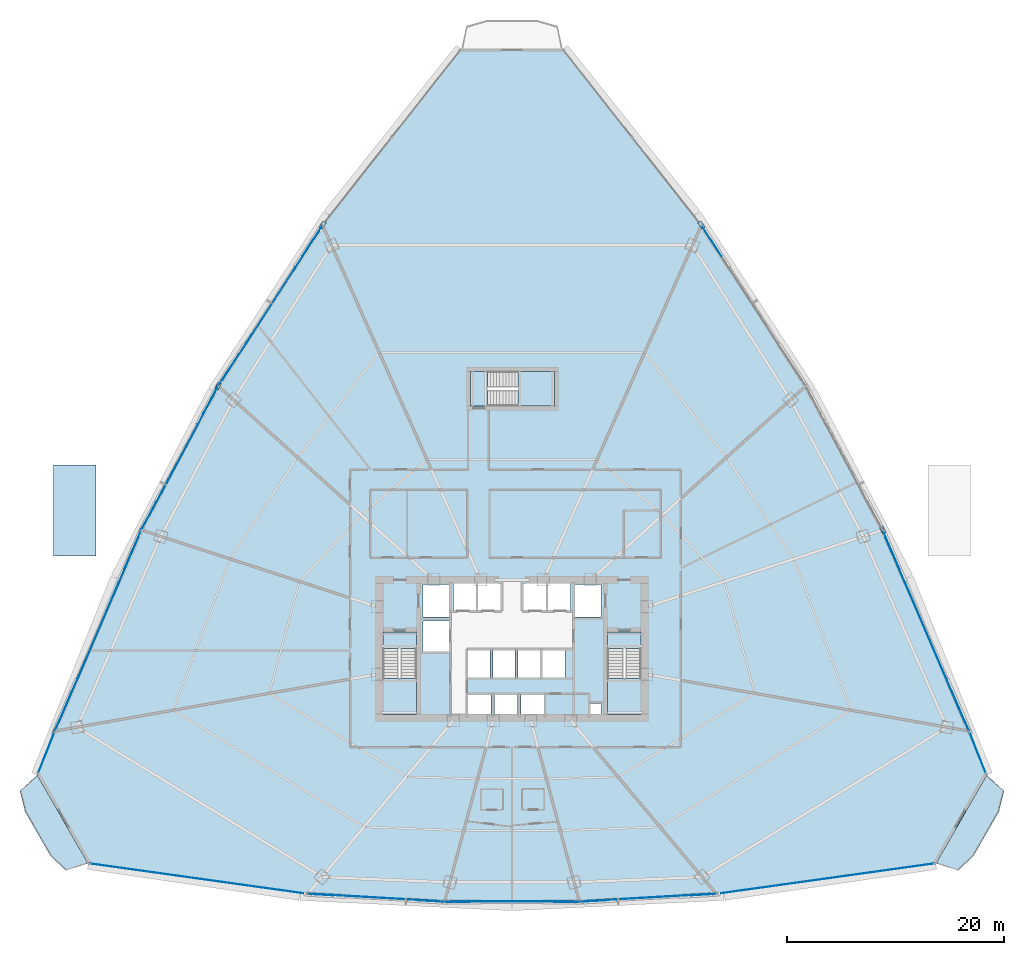
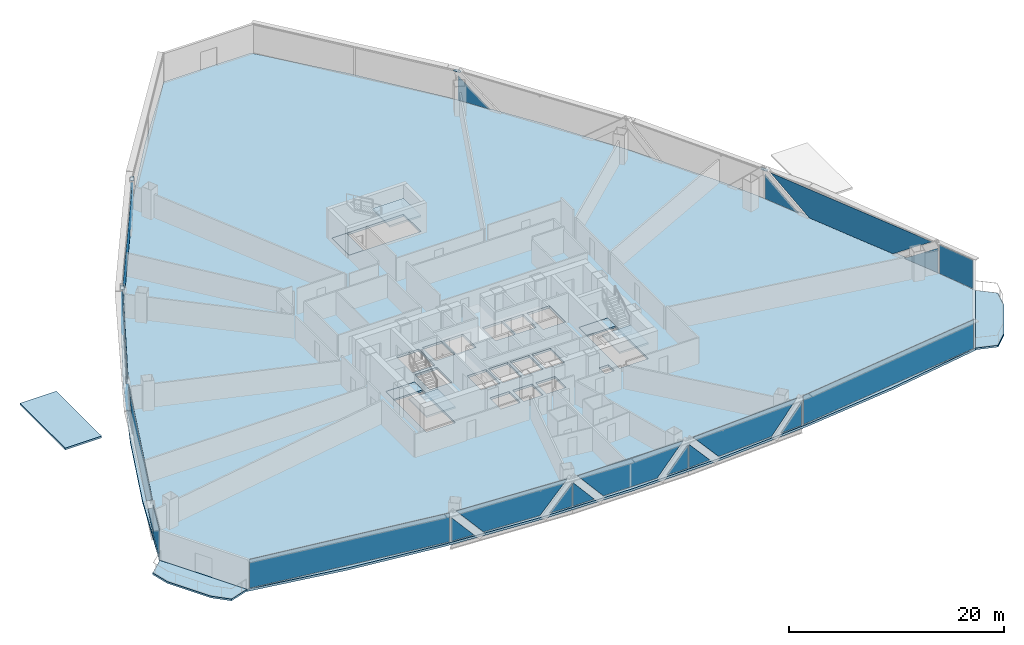
# One storey, part 28 of 38: 30 plates, 10 slabs, 15 elements without a shape of their own.
"""IFC4 building model written with IfcOpenShell, lengths in metres."""

from ifc_helpers import new_model, si_unit, direction, frame, origin, origin_2d, place, context, subcontext, project, spatial, polyline, rectangle, outline, extrude, source, transform, mapped, material, layer, layer_set, type_object, element, aggregate, save


model = new_model("IFC4")

# Units and contexts
model_context = context("Model", 3, precision=1e-05, world=origin(), true_north=direction((0.0, 1.0)))
body_context = subcontext(model_context, "Body", "Model", "MODEL_VIEW")
ifc_project = project(units=[si_unit("LENGTHUNIT", "METRE"), si_unit("AREAUNIT", "SQUARE_METRE"), si_unit("VOLUMEUNIT", "CUBIC_METRE"), si_unit("PLANEANGLEUNIT", "RADIAN"), si_unit("MASSUNIT", "GRAM", prefix="KILO"), si_unit("THERMODYNAMICTEMPERATUREUNIT", "KELVIN"), si_unit("POWERUNIT", "WATT")], contexts=[model_context])

# Site, building, storey
site_placement = place(None, origin())
site = spatial("IfcSite", under=ifc_project, at=site_placement, CompositionType="ELEMENT")
building_placement = place(site_placement, origin())
building = spatial("IfcBuilding", under=site, at=building_placement, Name="Yunzhuo Pagoda Commons", CompositionType="ELEMENT")
storey_placement = place(building_placement, frame((0.0, 0.0, 30.39990234375)))
storey = spatial("IfcBuildingStorey", under=building, at=storey_placement, Name="L07", CompositionType="ELEMENT", Elevation=30.39990234375)

# Curtain wall, plates
ifc_material_1 = material(Name="Anodized aluminium 6063-T6", Category="aluminium")
ifc_layer_1 = layer(ifc_material_1, 0.1650390625)
ifc_layer_set_1 = layer_set([ifc_layer_1], Name="Anodized aluminium 6063-T6")
curtain_wall_type = type_object("IfcCurtainWallType", Name="CW-LOW Low-Zone Ribbon Curtain Wall", PredefinedType="NOTDEFINED", material=ifc_layer_set_1)
curtain_wall_1_placement = place(storey_placement, origin())
curtain_wall_1 = element("IfcCurtainWall", 1, at=curtain_wall_1_placement, inside=storey, type_object=curtain_wall_type, Name="L07 curtain wall CW-L07-F1B2", PredefinedType="NOTDEFINED")
ifc_material_2 = material(Name="Tempered low-e double glazing", Category="glass")
ifc_layer_2 = layer(ifc_material_2, 0.028076171875)
ifc_layer_set_2 = layer_set([ifc_layer_2], Name="Tempered low-e double glazing")
plate_type_1 = type_object("IfcPlateType", Name="CW-LOW-P Low-E Double Glazing 28", PredefinedType="CURTAIN_PANEL", material=ifc_layer_set_2)
plate_1_placement = place(storey_placement, frame((30.406005859375, 11.22265625, 1.38818359375), z_axis=(-0.05789866519, -0.998322465223, 0.0), x_axis=(0.998322465223, -0.05789866519, 0.0)))
plate_1 = element("IfcPlate", 2, at=plate_1_placement, type_object=plate_type_1, Name="CW panel 1.1 lite 1", PredefinedType="CURTAIN_PANEL", context=body_context, shape_type="SweptSolid", body=[
    extrude(outline(polyline([(-1.1552734375, -1.328125), (1.1552734375, -1.328125), (-1.1552734375, 1.328125), (-1.1552734375, -1.328125)])), origin(), (0.0, 0.0, 1.0), 0.028076171875),
])
plate_2_placement = place(storey_placement, frame((35.494140625, 10.957763671875, 1.68505859375), z_axis=(-0.05789866519, -0.998322465223, 0.0), x_axis=(0.998322465223, -0.05789866519, 0.0)))
plate_2 = element("IfcPlate", 3, at=plate_2_placement, type_object=plate_type_1, Name="CW panel 1.1 lite 2", PredefinedType="CURTAIN_PANEL", context=body_context, shape_type="SweptSolid", body=[
    extrude(outline(polyline([(-5.759521484375, 1.625), (-2.932373046875, -1.625), (2.932373046875, -1.625), (5.759521484375, 1.625), (-5.759521484375, 1.625)])), origin(), (0.0, 0.0, 1.0), 0.028076171875),
])
plate_3_placement = place(storey_placement, frame((40.578857421875, 10.6328125, 1.38818359375), z_axis=(-0.05789866519, -0.998322465223, 0.0), x_axis=(0.998322465223, -0.05789866519, 0.0)))
plate_3 = element("IfcPlate", 4, at=plate_3_placement, type_object=plate_type_1, Name="CW panel 1.1 lite 3", PredefinedType="CURTAIN_PANEL", context=body_context, shape_type="SweptSolid", body=[
    extrude(outline(polyline([(-1.1552734375, -1.328125), (1.1552734375, -1.328125), (1.1552734375, 1.328125), (-1.1552734375, -1.328125)])), origin(), (0.0, 0.0, 1.0), 0.028076171875),
])
aggregate(curtain_wall_1, [plate_1, plate_2, plate_3])

curtain_wall_2_placement = place(storey_placement, origin())
curtain_wall_2 = element("IfcCurtainWall", 5, at=curtain_wall_2_placement, inside=storey, type_object=curtain_wall_type, Name="L07 curtain wall CW-L07-F1B3", PredefinedType="NOTDEFINED")
plate_4_placement = place(storey_placement, frame((42.993408203125, 10.56201171875, 1.384521484375), z_axis=(0.0, -1.0, 0.0), x_axis=(1.0, 0.0, 0.0)))
plate_4 = element("IfcPlate", 6, at=plate_4_placement, type_object=plate_type_1, Name="CW panel 1.1 lite 1", PredefinedType="CURTAIN_PANEL", context=body_context, shape_type="SweptSolid", body=[
    extrude(outline(polyline([(-1.131591796875, -1.324462890625), (1.1318359375, -1.324462890625), (-1.131591796875, 1.324462890625), (-1.131591796875, -1.324462890625)])), origin(), (0.0, 0.0, 1.0), 0.028076171875),
])
plate_5_placement = place(storey_placement, frame((48.0, 10.59228515625, 1.68505859375), z_axis=(0.0, -1.0, 0.0), x_axis=(1.0, 0.0, 0.0)))
plate_5 = element("IfcPlate", 7, at=plate_5_placement, type_object=plate_type_1, Name="CW panel 1.1 lite 2", PredefinedType="CURTAIN_PANEL", context=body_context, shape_type="SweptSolid", body=[
    extrude(outline(polyline([(-5.65234375, 1.625), (-2.875244140625, -1.625), (2.875244140625, -1.625), (5.65234375, 1.625), (-5.65234375, 1.625)])), origin(), (0.0, 0.0, 1.0), 0.028076171875),
])
plate_6_placement = place(storey_placement, frame((53.006591796875, 10.56201171875, 1.384521484375), z_axis=(0.0, -1.0, 0.0), x_axis=(1.0, 0.0, 0.0)))
plate_6 = element("IfcPlate", 8, at=plate_6_placement, type_object=plate_type_1, Name="CW panel 1.1 lite 3", PredefinedType="CURTAIN_PANEL", context=body_context, shape_type="SweptSolid", body=[
    extrude(outline(polyline([(-1.1318359375, -1.324462890625), (1.131591796875, -1.324462890625), (1.131591796875, 1.324462890625), (-1.1318359375, -1.324462890625)])), origin(), (0.0, 0.0, 1.0), 0.028076171875),
])
aggregate(curtain_wall_2, [plate_4, plate_5, plate_6])

curtain_wall_3_placement = place(storey_placement, origin())
curtain_wall_3 = element("IfcCurtainWall", 9, at=curtain_wall_3_placement, inside=storey, type_object=curtain_wall_type, Name="L07 curtain wall CW-L07-F1B4", PredefinedType="NOTDEFINED")
plate_7_placement = place(storey_placement, frame((55.421142578125, 10.6328125, 1.38818359375), z_axis=(0.05789866519, -0.998322465223, 0.0), x_axis=(0.998322465223, 0.05789866519, 0.0)))
plate_7 = element("IfcPlate", 10, at=plate_7_placement, type_object=plate_type_1, Name="CW panel 1.1 lite 1", PredefinedType="CURTAIN_PANEL", context=body_context, shape_type="SweptSolid", body=[
    extrude(outline(polyline([(-1.1552734375, -1.328125), (1.1552734375, -1.328125), (-1.1552734375, 1.328125), (-1.1552734375, -1.328125)])), origin(), (0.0, 0.0, 1.0), 0.028076171875),
])
plate_8_placement = place(storey_placement, frame((60.505859375, 10.957763671875, 1.68505859375), z_axis=(0.05789866519, -0.998322465223, 0.0), x_axis=(0.998322465223, 0.05789866519, 0.0)))
plate_8 = element("IfcPlate", 11, at=plate_8_placement, type_object=plate_type_1, Name="CW panel 1.1 lite 2", PredefinedType="CURTAIN_PANEL", context=body_context, shape_type="SweptSolid", body=[
    extrude(outline(polyline([(-5.759521484375, 1.625), (-2.932373046875, -1.625), (2.932373046875, -1.625), (5.759521484375, 1.625), (-5.759521484375, 1.625)])), origin(), (0.0, 0.0, 1.0), 0.028076171875),
])
plate_9_placement = place(storey_placement, frame((65.593994140625, 11.22265625, 1.38818359375), z_axis=(0.05789866519, -0.998322465223, 0.0), x_axis=(0.998322465223, 0.05789866519, 0.0)))
plate_9 = element("IfcPlate", 12, at=plate_9_placement, type_object=plate_type_1, Name="CW panel 1.1 lite 3", PredefinedType="CURTAIN_PANEL", context=body_context, shape_type="SweptSolid", body=[
    extrude(outline(polyline([(-1.1552734375, -1.328125), (1.1552734375, -1.328125), (1.1552734375, 1.328125), (-1.1552734375, -1.328125)])), origin(), (0.0, 0.0, 1.0), 0.028076171875),
])
aggregate(curtain_wall_3, [plate_7, plate_8, plate_9])

curtain_wall_4_placement = place(storey_placement, origin())
curtain_wall_4 = element("IfcCurtainWall", 13, at=curtain_wall_4_placement, inside=storey, type_object=curtain_wall_type, Name="L07 curtain wall CW-L07-F2B2", PredefinedType="NOTDEFINED")
plate_10_placement = place(storey_placement, frame((89.2939453125, 28.113037109375, 1.45751953125), z_axis=(0.918745212535, 0.394850901535, 0.0), x_axis=(-0.394850901535, 0.918745212535, 0.0)))
plate_10 = element("IfcPlate", 14, at=plate_10_placement, type_object=plate_type_1, Name="CW panel 1.1 lite 1", PredefinedType="CURTAIN_PANEL", context=body_context, shape_type="SweptSolid", body=[
    extrude(outline(polyline([(-1.939453125, -1.3974609375), (1.939697265625, -1.3974609375), (-1.939453125, 1.3974609375), (-1.939453125, -1.3974609375)])), origin(), (0.0, 0.0, 1.0), 0.028076171875),
])
plate_11_placement = place(storey_placement, frame((86.0791015625, 35.517578125, 1.68505859375), z_axis=(0.918745212535, 0.394850901535, 0.0), x_axis=(-0.394850901535, 0.918745212535, 0.0)))
plate_11 = element("IfcPlate", 15, at=plate_11_placement, type_object=plate_type_1, Name="CW panel 1.1 lite 2", PredefinedType="CURTAIN_PANEL", context=body_context, shape_type="SweptSolid", body=[
    extrude(outline(polyline([(-9.343505859375, 1.625), (-4.83251953125, -1.625), (4.83251953125, -1.625), (9.343505859375, 1.625), (-9.343505859375, 1.625)])), origin(), (0.0, 0.0, 1.0), 0.028076171875),
])
plate_12_placement = place(storey_placement, frame((82.919189453125, 42.94580078125, 1.45751953125), z_axis=(0.918745212535, 0.394850901535, 0.0), x_axis=(-0.394850901535, 0.918745212535, 0.0)))
plate_12 = element("IfcPlate", 16, at=plate_12_placement, type_object=plate_type_1, Name="CW panel 1.1 lite 3", PredefinedType="CURTAIN_PANEL", context=body_context, shape_type="SweptSolid", body=[
    extrude(outline(polyline([(-1.939697265625, -1.3974609375), (1.939453125, -1.3974609375), (1.939453125, 1.3974609375), (-1.939697265625, -1.3974609375)])), origin(), (0.0, 0.0, 1.0), 0.028076171875),
])
aggregate(curtain_wall_4, [plate_10, plate_11, plate_12])

# Curtain wall, plate
curtain_wall_5_placement = place(storey_placement, origin())
curtain_wall_5 = element("IfcCurtainWall", 17, at=curtain_wall_5_placement, inside=storey, type_object=curtain_wall_type, Name="L07 curtain wall CW-L07-F2B4", PredefinedType="NOTDEFINED")
plate_13_placement = place(storey_placement, frame((66.378662109375, 71.397705078125, 1.4423828125), z_axis=(0.83865240069, 0.544667009114, 0.0), x_axis=(-0.544667009114, 0.83865240069, 0.0)))
plate_13 = element("IfcPlate", 18, at=plate_13_placement, type_object=plate_type_1, Name="CW panel 1.1 lite 3", PredefinedType="CURTAIN_PANEL", context=body_context, shape_type="SweptSolid", body=[
    extrude(outline(polyline([(-1.680908203125, -1.38232421875), (1.680908203125, -1.38232421875), (1.680908203125, 1.38232421875), (-1.680908203125, -1.38232421875)])), origin(), (0.0, 0.0, 1.0), 0.028076171875),
])
aggregate(curtain_wall_5, [plate_13])

# Curtain wall, plates
curtain_wall_6_placement = place(storey_placement, origin())
curtain_wall_6 = element("IfcCurtainWall", 19, at=curtain_wall_6_placement, inside=storey, type_object=curtain_wall_type, Name="L07 curtain wall CW-L07-F3B2", PredefinedType="NOTDEFINED")
plate_14_placement = place(storey_placement, frame((29.621337890625, 71.397705078125, 1.4423828125), z_axis=(-0.83865240069, 0.544667009114, 0.0), x_axis=(-0.544667009114, -0.83865240069, 0.0)))
plate_14 = element("IfcPlate", 20, at=plate_14_placement, type_object=plate_type_1, Name="CW panel 1.1 lite 1", PredefinedType="CURTAIN_PANEL", context=body_context, shape_type="SweptSolid", body=[
    extrude(outline(polyline([(-1.680908203125, -1.38232421875), (1.680908203125, -1.38232421875), (-1.680908203125, 1.38232421875), (-1.680908203125, -1.38232421875)])), origin(), (0.0, 0.0, 1.0), 0.028076171875),
])
plate_15_placement = place(storey_placement, frame((25.7890625, 65.441650390625, 1.68505859375), z_axis=(-0.83865240069, 0.544667009114, 0.0), x_axis=(-0.544667009114, -0.83865240069, 0.0)))
plate_15 = element("IfcPlate", 21, at=plate_15_placement, type_object=plate_type_1, Name="CW panel 1.1 lite 2", PredefinedType="CURTAIN_PANEL", context=body_context, shape_type="SweptSolid", body=[
    extrude(outline(polyline([(-8.156982421875, 1.625), (-4.205078125, -1.625), (4.205078125, -1.625), (8.156982421875, 1.625), (-8.156982421875, 1.625)])), origin(), (0.0, 0.0, 1.0), 0.028076171875),
])
plate_16_placement = place(storey_placement, frame((21.90625, 59.518310546875, 1.4423828125), z_axis=(-0.83865240069, 0.544667009114, 0.0), x_axis=(-0.544667009114, -0.83865240069, 0.0)))
plate_16 = element("IfcPlate", 22, at=plate_16_placement, type_object=plate_type_1, Name="CW panel 1.1 lite 3", PredefinedType="CURTAIN_PANEL", context=body_context, shape_type="SweptSolid", body=[
    extrude(outline(polyline([(-1.680908203125, -1.38232421875), (1.680908203125, -1.38232421875), (1.680908203125, 1.38232421875), (-1.680908203125, -1.38232421875)])), origin(), (0.0, 0.0, 1.0), 0.028076171875),
])
aggregate(curtain_wall_6, [plate_14, plate_15, plate_16])

curtain_wall_7_placement = place(storey_placement, origin())
curtain_wall_7 = element("IfcCurtainWall", 23, at=curtain_wall_7_placement, inside=storey, type_object=curtain_wall_type, Name="L07 curtain wall CW-L07-F3B3", PredefinedType="NOTDEFINED")
plate_17_placement = place(storey_placement, frame((20.26220703125, 56.75537109375, 1.419677734375), z_axis=(-0.882141395132, 0.470984669595, 0.0), x_axis=(-0.470984669595, -0.882141395132, 0.0)))
plate_17 = element("IfcPlate", 24, at=plate_17_placement, type_object=plate_type_1, Name="CW panel 1.1 lite 1", PredefinedType="CURTAIN_PANEL", context=body_context, shape_type="SweptSolid", body=[
    extrude(outline(polyline([(-1.408447265625, -1.359619140625), (1.408203125, -1.359619140625), (-1.408447265625, 1.359619140625), (-1.408447265625, -1.359619140625)])), origin(), (0.0, 0.0, 1.0), 0.028076171875),
])
plate_18_placement = place(storey_placement, frame((17.4404296875, 51.406494140625, 1.68505859375), z_axis=(-0.882141395132, 0.470984669595, 0.0), x_axis=(-0.470984669595, -0.882141395132, 0.0)))
plate_18 = element("IfcPlate", 25, at=plate_18_placement, type_object=plate_type_1, Name="CW panel 1.1 lite 2", PredefinedType="CURTAIN_PANEL", context=body_context, shape_type="SweptSolid", body=[
    extrude(outline(polyline([(-6.911376953125, 1.625), (-3.544677734375, -1.625), (3.544677734375, -1.625), (6.911376953125, 1.625), (-6.911376953125, 1.625)])), origin(), (0.0, 0.0, 1.0), 0.028076171875),
])
plate_19_placement = place(storey_placement, frame((14.565673828125, 46.086181640625, 1.419677734375), z_axis=(-0.882141395132, 0.470984669595, 0.0), x_axis=(-0.470984669595, -0.882141395132, 0.0)))
plate_19 = element("IfcPlate", 26, at=plate_19_placement, type_object=plate_type_1, Name="CW panel 1.1 lite 3", PredefinedType="CURTAIN_PANEL", context=body_context, shape_type="SweptSolid", body=[
    extrude(outline(polyline([(-1.408203125, -1.359619140625), (1.408447265625, -1.359619140625), (1.408447265625, 1.359619140625), (-1.408203125, -1.359619140625)])), origin(), (0.0, 0.0, 1.0), 0.028076171875),
])
aggregate(curtain_wall_7, [plate_17, plate_18, plate_19])

curtain_wall_8_placement = place(storey_placement, origin())
curtain_wall_8 = element("IfcCurtainWall", 27, at=curtain_wall_8_placement, inside=storey, type_object=curtain_wall_type, Name="L07 curtain wall CW-L07-F3B4", PredefinedType="NOTDEFINED")
plate_20_placement = place(storey_placement, frame((13.080810546875, 42.94580078125, 1.45751953125), z_axis=(-0.918745212535, 0.394850901535, 0.0), x_axis=(-0.394850901535, -0.918745212535, 0.0)))
plate_20 = element("IfcPlate", 28, at=plate_20_placement, type_object=plate_type_1, Name="CW panel 1.1 lite 1", PredefinedType="CURTAIN_PANEL", context=body_context, shape_type="SweptSolid", body=[
    extrude(outline(polyline([(-1.939453125, -1.3974609375), (1.939697265625, -1.3974609375), (-1.939453125, 1.3974609375), (-1.939453125, -1.3974609375)])), origin(), (0.0, 0.0, 1.0), 0.028076171875),
])
plate_21_placement = place(storey_placement, frame((9.9208984375, 35.517578125, 1.68505859375), z_axis=(-0.918745212535, 0.394850901535, 0.0), x_axis=(-0.394850901535, -0.918745212535, 0.0)))
plate_21 = element("IfcPlate", 29, at=plate_21_placement, type_object=plate_type_1, Name="CW panel 1.1 lite 2", PredefinedType="CURTAIN_PANEL", context=body_context, shape_type="SweptSolid", body=[
    extrude(outline(polyline([(-9.343505859375, 1.625), (-4.83251953125, -1.625), (4.83251953125, -1.625), (9.343505859375, 1.625), (-9.343505859375, 1.625)])), origin(), (0.0, 0.0, 1.0), 0.028076171875),
])
plate_22_placement = place(storey_placement, frame((6.7060546875, 28.113037109375, 1.45751953125), z_axis=(-0.918745212535, 0.394850901535, 0.0), x_axis=(-0.394850901535, -0.918745212535, 0.0)))
plate_22 = element("IfcPlate", 30, at=plate_22_placement, type_object=plate_type_1, Name="CW panel 1.1 lite 3", PredefinedType="CURTAIN_PANEL", context=body_context, shape_type="SweptSolid", body=[
    extrude(outline(polyline([(-1.939697265625, -1.3974609375), (1.939453125, -1.3974609375), (1.939453125, 1.3974609375), (-1.939697265625, -1.3974609375)])), origin(), (0.0, 0.0, 1.0), 0.028076171875),
])
aggregate(curtain_wall_8, [plate_20, plate_21, plate_22])

# Slabs
ifc_material_3 = material(Name="Concrete C40", Category="concrete")
ifc_layer_3 = layer(ifc_material_3, 0.199951171875)
ifc_layer_set_3 = layer_set([ifc_layer_3], Name="Concrete C40")
slab_type_1 = type_object("IfcSlabType", Name="SL-BAL Vertex Balcony Deck Slab 200", PredefinedType="FLOOR", material=ifc_layer_set_3)
slab_1_placement = place(storey_placement, frame((0.0, 0.0, -0.199951171875)))
element("IfcSlab", 31, at=slab_1_placement, inside=storey, type_object=slab_type_1, Name="L07 corner balcony V1", PredefinedType="FLOOR", context=body_context, shape_type="SweptSolid", body=[
    extrude(outline(polyline([(4.287109375, 22.2197265625), (8.95068359375, 14.097412109375), (6.90966796875, 13.444580078125), (5.490966796875, 14.81103515625), (3.1591796875, 18.872314453125), (2.694091796875, 20.786376953125), (4.287109375, 22.2197265625)])), origin(), (0.0, 0.0, 1.0), 0.199951171875),
])
slab_2_placement = place(storey_placement, frame((0.0, 0.0, -0.199951171875)))
element("IfcSlab", 32, at=slab_2_placement, inside=storey, type_object=slab_type_1, Name="L07 corner balcony V2", PredefinedType="FLOOR", context=body_context, shape_type="SweptSolid", body=[
    extrude(outline(polyline([(87.04931640625, 14.097412109375), (91.712890625, 22.2197265625), (93.305908203125, 20.786376953125), (92.8408203125, 18.872314453125), (90.509033203125, 14.81103515625), (89.09033203125, 13.444580078125), (87.04931640625, 14.097412109375)])), origin(), (0.0, 0.0, 1.0), 0.199951171875),
])

# Stair, slabs
stair_type_1 = type_object("IfcStairType", Name="ST-C1 Core Smokeproof Stair ST1", PredefinedType="HALF_TURN_STAIR", material=ifc_material_3)
stair_1_placement = place(storey_placement, origin())
stair_1 = element("IfcStair", 33, at=stair_1_placement, inside=storey, type_object=stair_type_1, Name="L07 Core smokeproof stair ST1", PredefinedType="HALF_TURN_STAIR")
ifc_layer_4 = layer(ifc_material_3, 0.199951171875)
ifc_layer_set_4 = layer_set([ifc_layer_4], Name="Concrete C40")
slab_type_2 = type_object("IfcSlabType", Name="SL-LND1 Stair Landing Slab 200", PredefinedType="LANDING", material=ifc_layer_set_4)
slab_3_placement = place(storey_placement, frame((0.0, 0.0, 1.614990234375)))
slab_3 = element("IfcSlab", 34, at=slab_3_placement, type_object=slab_type_2, Name="ST1 landing 1", PredefinedType="LANDING", context=body_context, shape_type="SweptSolid", body=[
    extrude(outline(polyline([(36.10009765625, 31.10009765625), (36.10009765625, 27.800048828125), (39.199951171875, 27.800048828125), (39.199951171875, 31.10009765625), (36.10009765625, 31.10009765625)])), origin(), (0.0, 0.0, 1.0), 0.2001953125),
])
slab_4_placement = place(storey_placement, frame((0.0, 0.0, -0.199951171875)))
slab_4 = element("IfcSlab", 35, at=slab_4_placement, type_object=slab_type_2, Name="ST1 floor landing L07", PredefinedType="LANDING", context=body_context, shape_type="SweptSolid", body=[
    extrude(outline(polyline([(36.10009765625, 35.39990234375), (36.10009765625, 33.89990234375), (39.199951171875, 33.89990234375), (39.199951171875, 35.39990234375), (36.10009765625, 35.39990234375)])), origin(), (0.0, 0.0, 1.0), 0.199951171875),
])
aggregate(stair_1, [slab_3, slab_4])

stair_type_2 = type_object("IfcStairType", Name="ST-C2 Core Smokeproof Stair ST2", PredefinedType="HALF_TURN_STAIR", material=ifc_material_3)
stair_2_placement = place(storey_placement, origin())
stair_2 = element("IfcStair", 36, at=stair_2_placement, inside=storey, type_object=stair_type_2, Name="L07 Core smokeproof stair ST2", PredefinedType="HALF_TURN_STAIR")
ifc_layer_5 = layer(ifc_material_3, 0.201904296875)
ifc_layer_set_5 = layer_set([ifc_layer_5], Name="Concrete C40")
slab_type_3 = type_object("IfcSlabType", Name="SL-LND2 Stair Landing Slab 202", PredefinedType="LANDING", material=ifc_layer_set_5)
slab_5_placement = place(storey_placement, frame((0.0, 0.0, 1.614990234375)))
slab_5 = element("IfcSlab", 37, at=slab_5_placement, type_object=slab_type_3, Name="ST2 landing 1", PredefinedType="LANDING", context=body_context, shape_type="SweptSolid", body=[
    extrude(outline(polyline([(56.800048828125, 31.10009765625), (56.800048828125, 27.800048828125), (59.89990234375, 27.800048828125), (59.89990234375, 31.10009765625), (56.800048828125, 31.10009765625)])), origin(), (0.0, 0.0, 1.0), 0.2001953125),
])
slab_6_placement = place(storey_placement, frame((0.0, 0.0, -0.199951171875)))
slab_6 = element("IfcSlab", 38, at=slab_6_placement, type_object=slab_type_3, Name="ST2 floor landing L07", PredefinedType="LANDING", context=body_context, shape_type="SweptSolid", body=[
    extrude(outline(polyline([(56.800048828125, 35.39990234375), (56.800048828125, 33.89990234375), (59.89990234375, 33.89990234375), (59.89990234375, 35.39990234375), (56.800048828125, 35.39990234375)])), origin(), (0.0, 0.0, 1.0), 0.199951171875),
])
aggregate(stair_2, [slab_5, slab_6])

stair_type_3 = type_object("IfcStairType", Name="ST-C3 North Tower Smokeproof Stair ST3", PredefinedType="HALF_TURN_STAIR", material=ifc_material_3)
stair_3_placement = place(storey_placement, origin())
stair_3 = element("IfcStair", 39, at=stair_3_placement, inside=storey, type_object=stair_type_3, Name="L07 North tower smokeproof stair ST3", PredefinedType="HALF_TURN_STAIR")
ifc_layer_6 = layer(ifc_material_3, 0.2041015625)
ifc_layer_set_6 = layer_set([ifc_layer_6], Name="Concrete C40")
slab_type_4 = type_object("IfcSlabType", Name="SL-LND5 North Landing Slab 204", PredefinedType="LANDING", material=ifc_layer_set_6)
slab_7_placement = place(storey_placement, frame((0.0, 0.0, 1.614990234375)))
slab_7 = element("IfcSlab", 40, at=slab_7_placement, type_object=slab_type_4, Name="ST3 landing 1", PredefinedType="LANDING", context=body_context, shape_type="SweptSolid", body=[
    extrude(outline(polyline([(48.550048828125, 56.199951171875), (51.89990234375, 56.199951171875), (51.89990234375, 59.39990234375), (48.550048828125, 59.39990234375), (48.550048828125, 56.199951171875)])), origin(), (0.0, 0.0, 1.0), 0.2001953125),
])
slab_8_placement = place(storey_placement, frame((0.0, 0.0, -0.199951171875)))
slab_8 = element("IfcSlab", 41, at=slab_8_placement, type_object=slab_type_4, Name="ST3 floor landing L07", PredefinedType="LANDING", context=body_context, shape_type="SweptSolid", body=[
    extrude(outline(polyline([(44.199951171875, 56.199951171875), (45.75, 56.199951171875), (45.75, 59.39990234375), (44.199951171875, 59.39990234375), (44.199951171875, 56.199951171875)])), origin(), (0.0, 0.0, 1.0), 0.199951171875),
])
aggregate(stair_3, [slab_7, slab_8])

# Slabs
ifc_layer_7 = layer(ifc_material_3, 0.199951171875)
ifc_layer_set_7 = layer_set([ifc_layer_7], Name="Concrete C40")
slab_type_5 = type_object("IfcSlabType", Name="SL-RF3 Stair Head Roof Slab 200", PredefinedType="ROOF", material=ifc_layer_set_7)
slab_9_placement = place(storey_placement, frame((0.0, 0.0, -0.260009765625)))
element("IfcSlab", 42, at=slab_9_placement, inside=storey, type_object=slab_type_5, Name="PS3 stair head roof slab", PredefinedType="ROOF", context=body_context, shape_type="SweptSolid", body=[
    extrude(outline(polyline([(5.800048828125, 42.39990234375), (9.699951171875, 42.39990234375), (9.699951171875, 50.800048828125), (5.800048828125, 50.800048828125), (5.800048828125, 42.39990234375)])), origin(), (0.0, 0.0, 1.0), 0.2001953125),
])
ifc_layer_8 = layer(ifc_material_3, 0.260009765625)
ifc_layer_set_8 = layer_set([ifc_layer_8], Name="Concrete C40")
slab_type_6 = type_object("IfcSlabType", Name="SL-TWR Typical Tower Floor Slab 260", PredefinedType="FLOOR", material=ifc_layer_set_8)
slab_10_placement = place(storey_placement, frame((0.0, 0.0, -0.260009765625)))
element("IfcSlab", 43, at=slab_10_placement, inside=storey, type_object=slab_type_6, Name="L07 structural floor slab", PredefinedType="FLOOR", context=body_context, shape_type="SweptSolid", body=[
    extrude(outline(polyline([(7.736083984375, 31.42138671875), (11.59130859375, 40.381103515625), (15.8564453125, 49.101318359375), (20.531982421875, 57.582275390625), (25.617919921875, 65.823486328125), (31.11376953125, 73.825439453125), (37.02001953125, 81.587890625), (43.33642578125, 89.11083984375), (52.66357421875, 89.11083984375), (58.97998046875, 81.587890625), (64.88623046875, 73.825439453125), (70.382080078125, 65.823486328125), (75.468017578125, 57.582275390625), (80.1435546875, 49.101318359375), (84.40869140625, 40.381103515625), (88.263916015625, 31.42138671875), (91.708740234375, 22.222412109375), (87.045166015625, 14.10009765625), (77.28369140625, 12.4375), (67.522705078125, 11.25), (57.76123046875, 10.53759765625), (48.0, 10.300048828125), (38.23876953125, 10.53759765625), (28.4775390625, 11.25), (18.71630859375, 12.4375), (8.954833984375, 14.10009765625), (4.291259765625, 22.222412109375), (7.736083984375, 31.42138671875)]), holes=[polyline([(46.050048828125, 27.60009765625), (46.050048828125, 29.64990234375), (43.949951171875, 29.64990234375), (43.949951171875, 27.60009765625), (46.050048828125, 27.60009765625)]), polyline([(48.5, 27.60009765625), (48.5, 29.64990234375), (46.39990234375, 29.64990234375), (46.39990234375, 27.60009765625), (48.5, 27.60009765625)]), polyline([(36.10009765625, 27.800048828125), (39.199951171875, 27.800048828125), (39.199951171875, 35.39990234375), (36.10009765625, 35.39990234375), (36.10009765625, 27.800048828125)]), polyline([(45.969970703125, 31.199951171875), (45.969970703125, 33.800048828125), (43.929931640625, 33.800048828125), (43.929931640625, 31.199951171875), (45.969970703125, 31.199951171875)]), polyline([(48.27001953125, 31.199951171875), (48.27001953125, 33.800048828125), (46.22998046875, 33.800048828125), (46.22998046875, 31.199951171875), (48.27001953125, 31.199951171875)]), polyline([(42.199951171875, 33.60009765625), (42.199951171875, 36.39990234375), (39.800048828125, 36.39990234375), (39.800048828125, 33.60009765625), (42.199951171875, 33.60009765625)]), polyline([(42.199951171875, 36.800048828125), (42.199951171875, 39.800048828125), (39.800048828125, 39.800048828125), (39.800048828125, 36.800048828125), (42.199951171875, 36.800048828125)]), polyline([(42.60009765625, 37.39990234375), (44.699951171875, 37.39990234375), (44.699951171875, 39.85009765625), (42.60009765625, 39.85009765625), (42.60009765625, 37.39990234375)]), polyline([(44.85009765625, 37.39990234375), (46.949951171875, 37.39990234375), (46.949951171875, 39.85009765625), (44.85009765625, 39.85009765625), (44.85009765625, 37.39990234375)]), polyline([(56.179931640625, 27.699951171875), (56.179931640625, 28.800048828125), (55.179931640625, 28.800048828125), (55.179931640625, 27.699951171875), (56.179931640625, 27.699951171875)]), polyline([(50.949951171875, 27.60009765625), (50.949951171875, 29.64990234375), (48.85009765625, 29.64990234375), (48.85009765625, 27.60009765625), (50.949951171875, 27.60009765625)]), polyline([(56.800048828125, 27.800048828125), (59.89990234375, 27.800048828125), (59.89990234375, 35.39990234375), (56.800048828125, 35.39990234375), (56.800048828125, 27.800048828125)]), polyline([(50.570068359375, 31.199951171875), (50.570068359375, 33.800048828125), (48.530029296875, 33.800048828125), (48.530029296875, 31.199951171875), (50.570068359375, 31.199951171875)]), polyline([(52.8701171875, 31.199951171875), (52.8701171875, 33.800048828125), (50.830078125, 33.800048828125), (50.830078125, 31.199951171875), (52.8701171875, 31.199951171875)]), polyline([(56.199951171875, 36.800048828125), (56.199951171875, 39.800048828125), (53.800048828125, 39.800048828125), (53.800048828125, 36.800048828125), (56.199951171875, 36.800048828125)]), polyline([(51.14990234375, 37.39990234375), (51.14990234375, 39.85009765625), (49.050048828125, 39.85009765625), (49.050048828125, 37.39990234375), (51.14990234375, 37.39990234375)]), polyline([(51.300048828125, 37.39990234375), (53.39990234375, 37.39990234375), (53.39990234375, 39.85009765625), (51.300048828125, 39.85009765625), (51.300048828125, 37.39990234375)]), polyline([(44.199951171875, 56.199951171875), (51.89990234375, 56.199951171875), (51.89990234375, 59.39990234375), (44.199951171875, 59.39990234375), (44.199951171875, 56.199951171875)])]), origin(), (0.0, 0.0, 1.0), 0.260009765625),
])

# Plates
ifc_material_4 = material(Name="Structural steel Q355B", Category="steel")
ifc_layer_9 = layer(ifc_material_4, 0.028076171875)
ifc_layer_set_9 = layer_set([ifc_layer_9], Name="Structural steel Q355B")
plate_type_2 = type_object("IfcPlateType", Name="SP-ND1 Lattice Node Cap Plate 800x500x28", PredefinedType="USERDEFINED", material=ifc_layer_set_9)
shared_shape_1 = source(origin(), body_context, "Body", "SweptSolid", [
    extrude(rectangle(XDim=0.699951171875, YDim=0.35009765625, at=origin_2d()), origin(), (0.0, 0.0, 1.0), 0.035888671875),
])
for number, where, z_axis, x_axis, name in (
    (44, (82.140625, 44.79296875, 3.33203125), (0.0, 0.0, 1.0), (-0.470981088896, 0.882143306897, 0.0), "L07 setback lattice tie plate F2.2L"),
    (45, (65.439453125, 72.869384765625, 3.33203125), (0.0, 0.0, 1.0), (-0.544668309809, 0.838651555946, 0.0), "L07 setback lattice tie plate F2.3R"),
    (46, (30.560546875, 72.869384765625, 3.33203125), (0.0, 0.0, 1.0), (-0.544668309809, -0.838651555946, 0.0), "L07 setback lattice tie plate F3.1L"),
    (47, (20.943603515625, 58.061767578125, 3.33203125), (0.0, 0.0, 1.0), (-0.470981088896, -0.882143306897, 0.0), "L07 setback lattice tie plate F3.2L"),
):
    element("IfcPlate", number, at=place(storey_placement, frame(where, z_axis=z_axis, x_axis=x_axis)), inside=storey, type_object=plate_type_2, Name=name, ObjectType="STIFFENER_PLATE", PredefinedType="USERDEFINED", context=body_context, shape_type="MappedRepresentation", body=[
        mapped(shared_shape_1, transform((0.0, 0.0, 0.0), scale=1.0)),
    ])

# Curtain wall, plate
curtain_wall_9_placement = place(storey_placement, origin())
curtain_wall_9 = element("IfcCurtainWall", 48, at=curtain_wall_9_placement, inside=storey, type_object=curtain_wall_type, Name="L07 curtain wall CW-L07-F1B1", PredefinedType="NOTDEFINED")
shared_shape_2 = source(origin(), body_context, "Body", "SweptSolid", [
    extrude(rectangle(XDim=20.061767578125, YDim=0.028076171875, at=origin_2d()), origin(), (0.0, 0.0, 1.0), 3.25),
])
plate_23_placement = place(storey_placement, frame((19.11376953125, 12.68603515625, 0.06005859375), z_axis=(0.0, 0.0, 1.0), x_axis=(0.99039127052, -0.138293641491, 0.0)))
plate_23 = element("IfcPlate", 49, at=plate_23_placement, type_object=plate_type_1, Name="CW panel 1.1", PredefinedType="CURTAIN_PANEL", context=body_context, shape_type="MappedRepresentation", body=[
    mapped(shared_shape_2, transform((0.0, 0.0, 0.0), scale=1.0)),
])
aggregate(curtain_wall_9, [plate_23])

curtain_wall_10_placement = place(storey_placement, origin())
curtain_wall_10 = element("IfcCurtainWall", 50, at=curtain_wall_10_placement, inside=storey, type_object=curtain_wall_type, Name="L07 curtain wall CW-L07-F1B5", PredefinedType="NOTDEFINED")
plate_24_placement = place(storey_placement, frame((76.88623046875, 12.68603515625, 0.06005859375), z_axis=(0.0, 0.0, 1.0), x_axis=(0.99039127052, 0.138293641491, 0.0)))
plate_24 = element("IfcPlate", 51, at=plate_24_placement, type_object=plate_type_1, Name="CW panel 1.1", PredefinedType="CURTAIN_PANEL", context=body_context, shape_type="MappedRepresentation", body=[
    mapped(shared_shape_2, transform((0.0, 0.0, 0.0), scale=1.0)),
])
aggregate(curtain_wall_10, [plate_24])

curtain_wall_11_placement = place(storey_placement, origin())
curtain_wall_11 = element("IfcCurtainWall", 52, at=curtain_wall_11_placement, inside=storey, type_object=curtain_wall_type, Name="L07 curtain wall CW-L07-F2B1", PredefinedType="NOTDEFINED")
shared_shape_3 = source(origin(), body_context, "Body", "SweptSolid", [
    extrude(rectangle(XDim=3.996826171875, YDim=0.028076171875, at=origin_2d()), origin(), (0.0, 0.0, 1.0), 3.25),
])
plate_25_placement = place(storey_placement, frame((90.884765625, 24.288330078125, 0.06005859375), z_axis=(0.0, 0.0, 1.0), x_axis=(-0.367665224919, 0.929958215398, 0.0)))
plate_25 = element("IfcPlate", 53, at=plate_25_placement, type_object=plate_type_1, Name="CW panel 1.1", PredefinedType="CURTAIN_PANEL", context=body_context, shape_type="MappedRepresentation", body=[
    mapped(shared_shape_3, transform((0.0, 0.0, 0.0), scale=1.0)),
])
aggregate(curtain_wall_11, [plate_25])

curtain_wall_12_placement = place(storey_placement, origin())
curtain_wall_12 = element("IfcCurtainWall", 54, at=curtain_wall_12_placement, inside=storey, type_object=curtain_wall_type, Name="L07 curtain wall CW-L07-F3B5", PredefinedType="NOTDEFINED")
plate_26_placement = place(storey_placement, frame((5.115234375, 24.288330078125, 0.06005859375), z_axis=(0.0, 0.0, 1.0), x_axis=(-0.367665224919, -0.929958215398, 0.0)))
plate_26 = element("IfcPlate", 55, at=plate_26_placement, type_object=plate_type_1, Name="CW panel 1.1", PredefinedType="CURTAIN_PANEL", context=body_context, shape_type="MappedRepresentation", body=[
    mapped(shared_shape_3, transform((0.0, 0.0, 0.0), scale=1.0)),
])
aggregate(curtain_wall_12, [plate_26])

save(model, "model.ifc")
